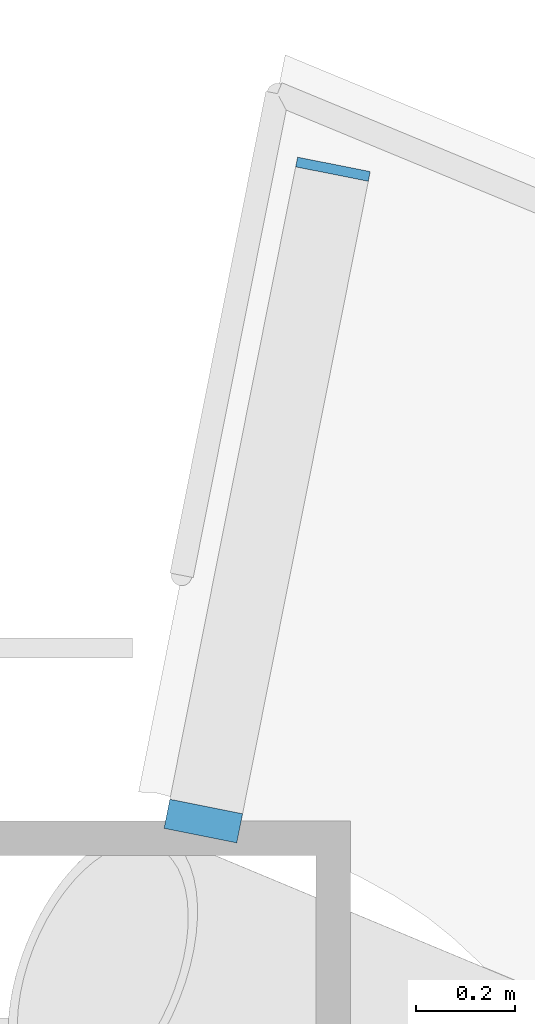
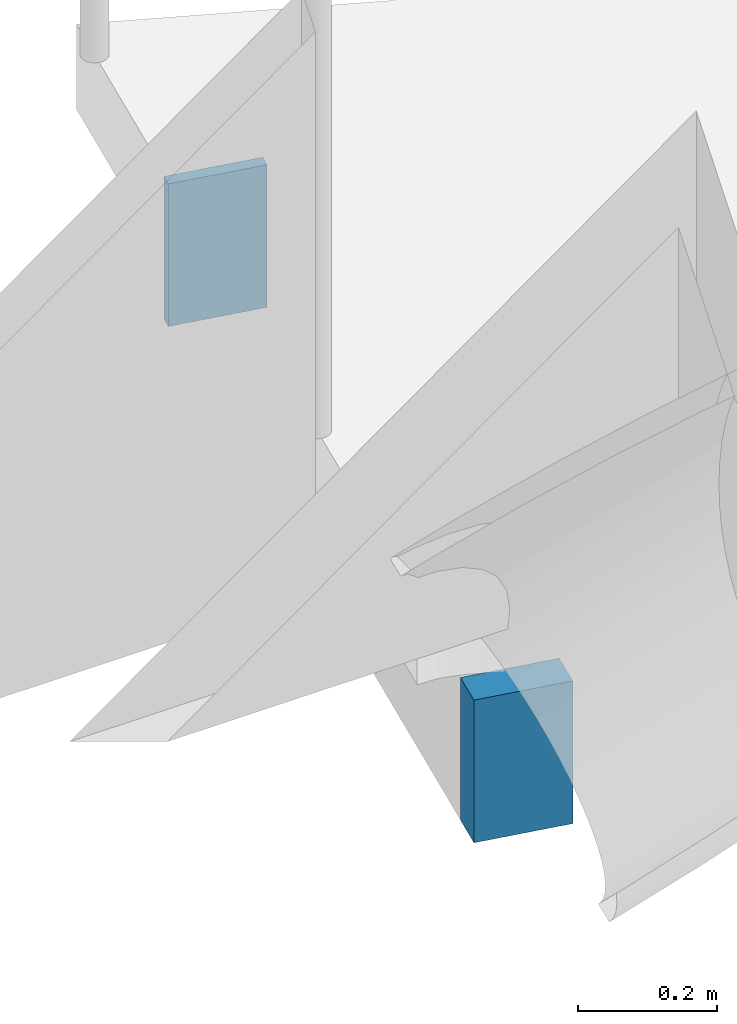
# One storey, part 24 of 30: 2 discrete accessories.
"""IFC4 building model written with IfcOpenShell, lengths in metres."""

from ifc_helpers import new_model, si_unit, direction, frame, origin, origin_2d, place, context, subcontext, project, spatial, rectangle, extrude, material, layer, layer_set, type_object, element, save


model = new_model("IFC4")

# Units and contexts
model_context = context("Model", 3, precision=1e-05, world=origin(), true_north=direction((0.0, 1.0)))
body_context = subcontext(model_context, "Body", "Model", "MODEL_VIEW")
ifc_project = project(units=[si_unit("LENGTHUNIT", "METRE"), si_unit("AREAUNIT", "SQUARE_METRE"), si_unit("VOLUMEUNIT", "CUBIC_METRE"), si_unit("PLANEANGLEUNIT", "RADIAN"), si_unit("MASSUNIT", "GRAM", prefix="KILO")], contexts=[model_context])

# Site, building, storey
site_placement = place(None, origin())
site = spatial("IfcSite", under=ifc_project, at=site_placement, CompositionType="ELEMENT")
building_placement = place(site_placement, origin())
building = spatial("IfcBuilding", under=site, at=building_placement, Name="Siwar Civic Tower", CompositionType="ELEMENT")
storey_placement = place(building_placement, frame((0.0, 0.0, 26.699951171875)))
storey = spatial("IfcBuildingStorey", under=building, at=storey_placement, Name="L05", CompositionType="ELEMENT", Elevation=26.699951171875)

# Discrete accessories
ifc_material_1 = material(Name="Stainless steel 316", Category="steel")
discrete_accessory_type_1 = type_object("IfcDiscreteAccessoryType", Name="ENV-BRACKET", PredefinedType="BRACKET", material=ifc_material_1)
discrete_accessory_1_placement = place(storey_placement, frame((22.752197265625, 32.050048828125, -0.39990234375), z_axis=(0.0, 0.0, 1.0), x_axis=(0.195090322016, 0.980785280403, 0.0)))
element("IfcDiscreteAccessory", 1, at=discrete_accessory_1_placement, inside=storey, type_object=discrete_accessory_type_1, Name="Bracket balcony cantilever beam NE 3", PredefinedType="BRACKET", context=body_context, shape_type="SweptSolid", body=[
    extrude(rectangle(XDim=0.06005859375, YDim=0.14990234375, at=origin_2d()), origin(), (0.0, 0.0, 1.0), 0.25),
])
ifc_material_2 = material(Name="Steel S355", Category="steel")
ifc_layer = layer(ifc_material_2, 0.02001953125)
ifc_layer_set = layer_set([ifc_layer], Name="Steel S355")
discrete_accessory_type_2 = type_object("IfcDiscreteAccessoryType", Name="STR-END-CAP", PredefinedType="USERDEFINED", material=ifc_layer_set)
discrete_accessory_2_placement = place(storey_placement, frame((23.014404296875, 33.36865234375, -0.39990234375), z_axis=(0.0, 0.0, 1.0), x_axis=(0.195090322649, 0.980785280277, 0.0)))
element("IfcDiscreteAccessory", 2, at=discrete_accessory_2_placement, inside=storey, type_object=discrete_accessory_type_2, Name="End cap plate Balcony cantilever beam NE 3", ObjectType="END CAP PLATE", PredefinedType="USERDEFINED", context=body_context, shape_type="SweptSolid", body=[
    extrude(rectangle(XDim=0.02001953125, YDim=0.14990234375, at=origin_2d()), origin(), (0.0, 0.0, 1.0), 0.25),
])

save(model, "model.ifc")
